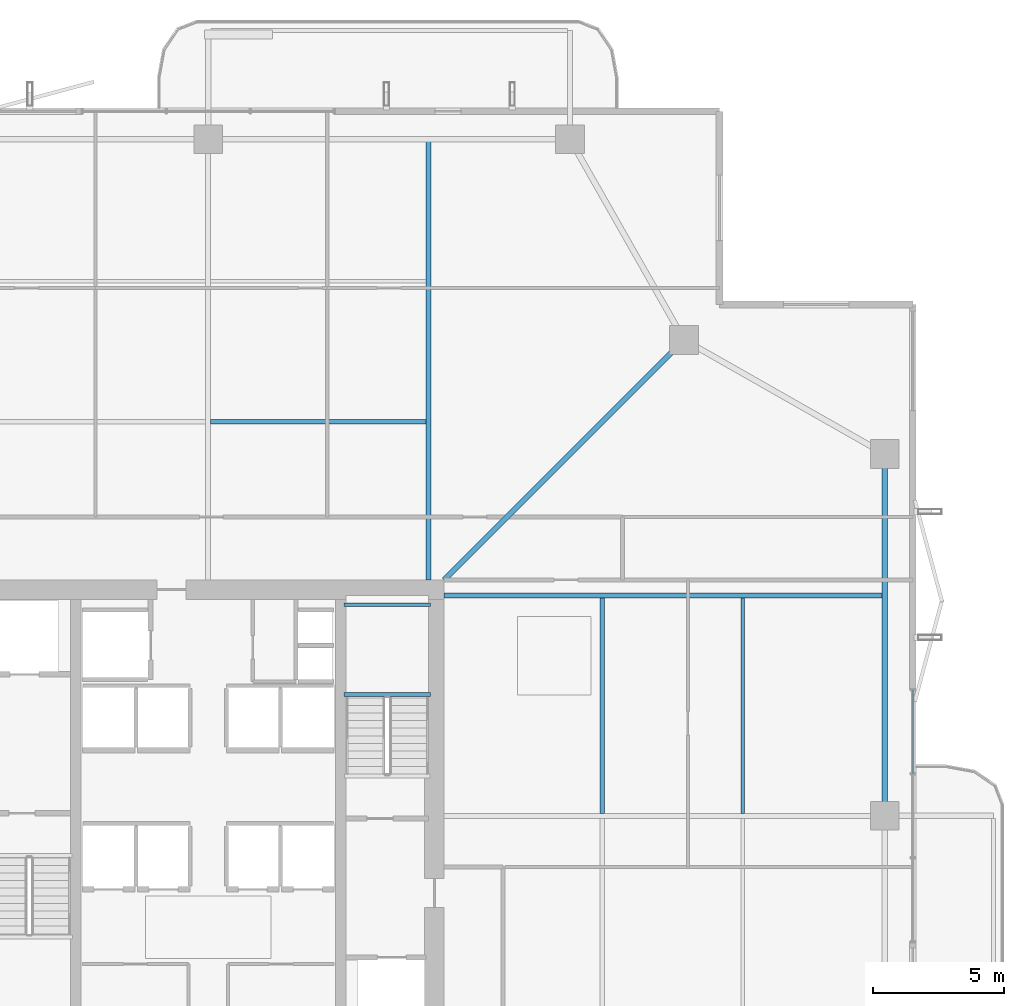
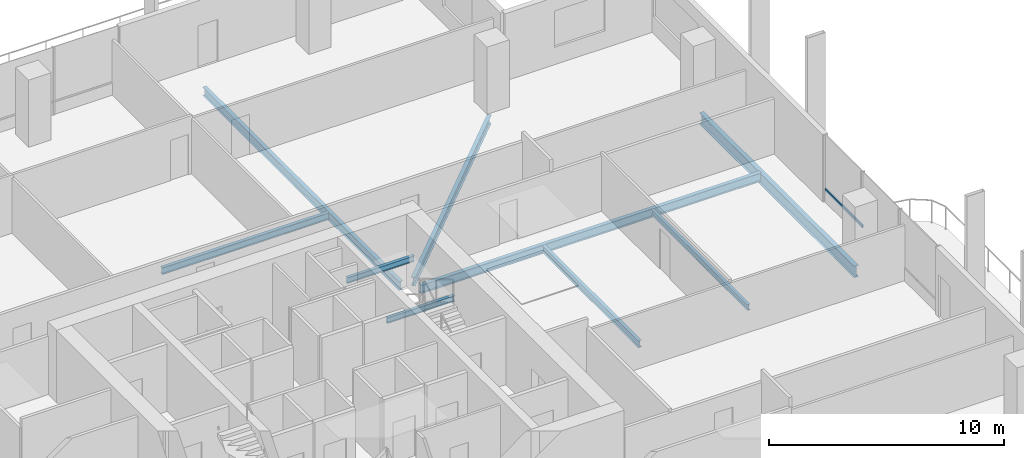
# One storey, part 12 of 24: 9 beams, 1 member, 1 element without a shape of its own.
"""IFC4 building model written with IfcOpenShell, lengths in metres."""

from ifc_helpers import new_model, si_unit, direction, frame, origin, origin_2d, place, context, subcontext, project, spatial, hollow_rectangle, i_section, extrude, material, layer, layer_set, material_profile, profile_set, type_object, element, aggregate, save


model = new_model("IFC4")

# Units and contexts
model_context = context("Model", 3, precision=1e-05, world=origin(), true_north=direction((0.0, 1.0)))
body_context = subcontext(model_context, "Body", "Model", "MODEL_VIEW")
ifc_project = project(units=[si_unit("LENGTHUNIT", "METRE"), si_unit("AREAUNIT", "SQUARE_METRE"), si_unit("VOLUMEUNIT", "CUBIC_METRE"), si_unit("PLANEANGLEUNIT", "RADIAN"), si_unit("MASSUNIT", "GRAM", prefix="KILO")], contexts=[model_context])

# Site, building, storey
site_placement = place(None, origin())
site = spatial("IfcSite", under=ifc_project, at=site_placement, CompositionType="ELEMENT")
building_placement = place(site_placement, origin())
building = spatial("IfcBuilding", under=site, at=building_placement, Name="Belovzor Exchange Tower", CompositionType="ELEMENT")
storey_placement = place(building_placement, frame((0.0, 0.0, 218.699951171875)))
storey = spatial("IfcBuildingStorey", under=building, at=storey_placement, Name="L54", CompositionType="ELEMENT", Elevation=218.699951171875)

# Beams
ifc_material_1 = material(Name="Steel S355", Category="steel")
ifc_material_profile_1 = material_profile(ifc_material_1, i_section(OverallWidth=0.169921875, OverallDepth=0.360107421875, WebThickness=0.008056640625, FlangeThickness=0.0126953125, at=origin_2d()))
ifc_profile_set_1 = profile_set([ifc_material_profile_1], Name="Steel S355")
beam_type_1 = type_object("IfcBeamType", Name="Secondary Infill Floor Joist IPE 360", PredefinedType="BEAM", material=ifc_profile_set_1)
for number, where, z_axis, x_axis, name in (
    (1, (28.89501953125, 43.827880859375, -0.429931640625), (1.0, 0.0, 0.0), (0.0, 1.0, 0.0), "FJ-360 Secondary Infill Floor Joist IPE 360"),
    (2, (43.827880859375, 28.89501953125, -0.429931640625), (0.0, 1.0, 0.0), (-1.0, 0.0, 0.0), "FJ-360 Secondary Infill Floor Joist IPE 360"),
):
    element("IfcBeam", number, at=place(storey_placement, frame(where, z_axis=z_axis, x_axis=x_axis)), inside=storey, type_object=beam_type_1, Name=name, PredefinedType="BEAM", context=body_context, shape_type="SweptSolid", body=[
        extrude(i_section(OverallWidth=0.169921875, OverallDepth=0.360107421875, WebThickness=0.008056640625, FlangeThickness=0.0126953125, at=origin_2d()), origin(), (0.0, 0.0, 1.0), 8.2099609375),
    ])
ifc_material_2 = material(Name="Steel S355", Category="steel")
ifc_material_profile_2 = material_profile(ifc_material_2, i_section(OverallWidth=0.14990234375, OverallDepth=0.300048828125, WebThickness=0.007080078125, FlangeThickness=0.0107421875, at=origin_2d()))
ifc_profile_set_2 = profile_set([ifc_material_profile_2], Name="Steel S355")
beam_type_2 = type_object("IfcBeamType", Name="Secondary Trim Floor Joist IPE 300", PredefinedType="BEAM", material=ifc_profile_set_2)
for number, where, z_axis, x_axis, name in (
    (3, (37.280029296875, 33.419921875, 1.525146484375), (-1.0, 0.0, 0.0), (0.0, -1.0, 0.0), "FJ-300 Secondary Trim Floor Joist IPE 300"),
    (4, (37.280029296875, 36.85009765625, 1.525146484375), (-1.0, 0.0, 0.0), (0.0, -1.0, 0.0), "FJ-300 Secondary Trim Floor Joist IPE 300"),
):
    element("IfcBeam", number, at=place(storey_placement, frame(where, z_axis=z_axis, x_axis=x_axis)), inside=storey, type_object=beam_type_2, Name=name, PredefinedType="BEAM", context=body_context, shape_type="SweptSolid", body=[
        extrude(i_section(OverallWidth=0.14990234375, OverallDepth=0.300048828125, WebThickness=0.007080078125, FlangeThickness=0.0107421875, at=origin_2d()), origin(), (0.0, 0.0, 1.0), 3.31005859375),
    ])
beam_1_placement = place(storey_placement, frame((49.18701171875, 28.89501953125, -0.39990234375), z_axis=(0.0, 1.0, 0.0), x_axis=(-1.0, 0.0, 0.0)))
element("IfcBeam", 5, at=beam_1_placement, inside=storey, type_object=beam_type_2, Name="FJ-300 Secondary Trim Floor Joist IPE 300", PredefinedType="BEAM", context=body_context, shape_type="SweptSolid", body=[
    extrude(i_section(OverallWidth=0.14990234375, OverallDepth=0.300048828125, WebThickness=0.007080078125, FlangeThickness=0.0107421875, at=origin_2d()), origin(), (0.0, 0.0, 1.0), 8.2099609375),
])

# Curtain wall, member
ifc_material_3 = material(Name="Anodised Aluminium Framing", Category="aluminium")
ifc_layer = layer(ifc_material_3, 0.179931640625)
ifc_layer_set = layer_set([ifc_layer], Name="Anodised Aluminium Framing")
curtain_wall_type = type_object("IfcCurtainWallType", Name="Recessed Loggia Low-Iron Triple-Glazed Curtain Wall", PredefinedType="NOTDEFINED", material=ifc_layer_set)
curtain_wall_placement = place(storey_placement, origin())
curtain_wall = element("IfcCurtainWall", 6, at=curtain_wall_placement, inside=storey, type_object=curtain_wall_type, Name="CW3 Recessed Loggia Low-Iron Triple-Glazed Curtain Wall L54", PredefinedType="NOTDEFINED")
ifc_material_4 = material(Name="Steel S355", Category="steel")
ifc_material_profile_3 = material_profile(ifc_material_4, hollow_rectangle(XDim=0.06005859375, YDim=0.14990234375, WallThickness=0.00390625, at=origin_2d()))
ifc_profile_set_3 = profile_set([ifc_material_profile_3], Name="Steel S355")
member_type = type_object("IfcMemberType", Name="Thermally Broken Curtain Wall Transom 150x60", PredefinedType="USERDEFINED", material=ifc_profile_set_3)
member_placement = place(storey_placement, frame((55.669921875, 33.592041015625, 0.630126953125), z_axis=(0.0, -1.0, 0.0), x_axis=(1.0, 0.0, 0.0)))
member = element("IfcMember", 7, at=member_placement, type_object=member_type, Name="CW-T150 Curtain Wall Transom 1", ObjectType="TRANSOM", PredefinedType="USERDEFINED", context=body_context, shape_type="SweptSolid", body=[
    extrude(hollow_rectangle(XDim=0.06005859375, YDim=0.14990234375, WallThickness=0.00390625, at=origin_2d()), origin(), (0.0, 0.0, 1.0), 3.18408203125),
])
aggregate(curtain_wall, [member])

# Beams
ifc_material_5 = material(Name="Steel S355", Category="steel")
ifc_material_profile_4 = material_profile(ifc_material_5, i_section(OverallWidth=0.18994140625, OverallDepth=0.449951171875, WebThickness=0.009521484375, FlangeThickness=0.0146484375, at=origin_2d()))
ifc_profile_set_4 = profile_set([ifc_material_profile_4], Name="Steel S355")
beam_type_3 = type_object("IfcBeamType", Name="Zone 2-4 Radial Composite Floor Beam IPE 450", PredefinedType="BEAM", material=ifc_profile_set_4)
for number, where, z_axis, x_axis, name in (
    (8, (37.199951171875, 37.800048828125, -0.474853515625), (0.0, 1.0, 0.0), (-1.0, 0.0, 0.0), "FB-450 Zone 2-4 Radial Composite Floor Beam IPE 450"),
    (9, (37.800048828125, 37.199951171875, -0.474853515625), (1.0, 0.0, 0.0), (0.0, 1.0, 0.0), "FB-450 Zone 2-4 Radial Composite Floor Beam IPE 450"),
):
    element("IfcBeam", number, at=place(storey_placement, frame(where, z_axis=z_axis, x_axis=x_axis)), inside=storey, type_object=beam_type_3, Name=name, PredefinedType="BEAM", context=body_context, shape_type="SweptSolid", body=[
        extrude(i_section(OverallWidth=0.18994140625, OverallDepth=0.449951171875, WebThickness=0.009521484375, FlangeThickness=0.0146484375, at=origin_2d()), origin(), (0.0, 0.0, 1.0), 16.744873046875),
    ])
beam_2_placement = place(storey_placement, frame((37.800048828125, 37.800048828125, -0.474853515625), z_axis=(0.707106781187, 0.707106781187, 0.0), x_axis=(-0.707106781187, 0.707106781187, 0.0)))
element("IfcBeam", 10, at=beam_2_placement, inside=storey, type_object=beam_type_3, Name="FB-450 Zone 2-4 Radial Composite Floor Beam IPE 450", PredefinedType="BEAM", context=body_context, shape_type="SweptSolid", body=[
    extrude(i_section(OverallWidth=0.18994140625, OverallDepth=0.449951171875, WebThickness=0.009521484375, FlangeThickness=0.0146484375, at=origin_2d()), origin(), (0.0, 0.0, 1.0), 12.551025390625),
])
ifc_material_6 = material(Name="Steel S355", Category="steel")
ifc_material_profile_5 = material_profile(ifc_material_6, i_section(OverallWidth=0.219970703125, OverallDepth=0.60009765625, WebThickness=0.011962890625, FlangeThickness=0.01904296875, at=origin_2d()))
ifc_profile_set_5 = profile_set([ifc_material_profile_5], Name="Steel S355")
beam_type_4 = type_object("IfcBeamType", Name="Zone 4 Flare Primary Girder IPE 600", PredefinedType="BEAM", material=ifc_profile_set_5)
beam_3_placement = place(storey_placement, frame((54.60009765625, 29.10205078125, -0.550048828125), z_axis=(0.0, 1.0, 0.0), x_axis=(-1.0, 0.0, 0.0)))
element("IfcBeam", 11, at=beam_3_placement, inside=storey, type_object=beam_type_4, Name="FG-Z4 Zone 4 Flare Primary Girder IPE 600", PredefinedType="BEAM", context=body_context, shape_type="SweptSolid", body=[
    extrude(i_section(OverallWidth=0.219970703125, OverallDepth=0.60009765625, WebThickness=0.011962890625, FlangeThickness=0.01904296875, at=origin_2d()), origin(), (0.0, 0.0, 1.0), 13.195068359375),
])

save(model, "model.ifc")
